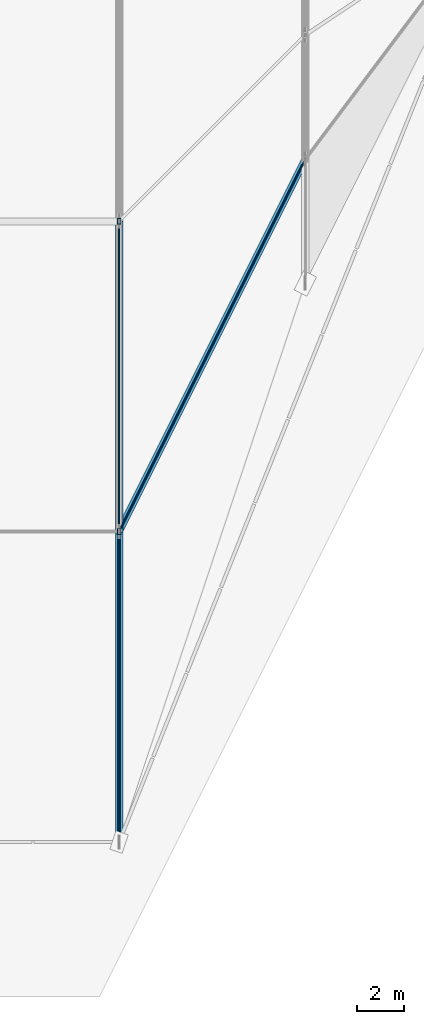
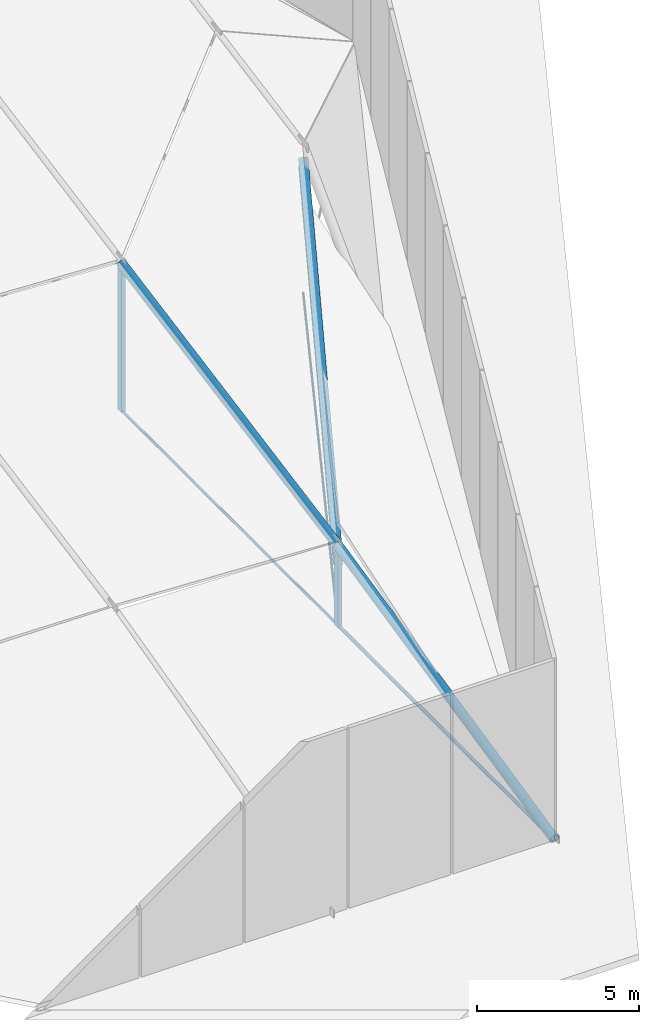
# One storey, part 15 of 30: 8 members.
"""IFC4 building model written with IfcOpenShell, lengths in metres."""

from ifc_helpers import new_model, si_unit, direction, frame, origin, origin_2d, place, context, subcontext, project, spatial, hollow_rectangle, circle, hollow_circle, i_section, extrude, material, material_profile, profile_set, type_object, element, save


model = new_model("IFC4")

# Units and contexts
model_context = context("Model", 3, precision=1e-05, world=origin(), true_north=direction((0.0, 1.0)))
body_context = subcontext(model_context, "Body", "Model", "MODEL_VIEW")
ifc_project = project(units=[si_unit("LENGTHUNIT", "METRE"), si_unit("AREAUNIT", "SQUARE_METRE"), si_unit("VOLUMEUNIT", "CUBIC_METRE"), si_unit("PLANEANGLEUNIT", "RADIAN"), si_unit("MASSUNIT", "GRAM", prefix="KILO")], contexts=[model_context])

# Site, building, storey
site_placement = place(None, origin())
site = spatial("IfcSite", under=ifc_project, at=site_placement, CompositionType="ELEMENT")
building_placement = place(site_placement, origin())
building = spatial("IfcBuilding", under=site, at=building_placement, Name="Tazarka Park Arena", CompositionType="ELEMENT")
storey_placement = place(building_placement, frame((0.0, 0.0, 29.39990234375)))
storey = spatial("IfcBuildingStorey", under=building, at=storey_placement, Name="Roof", CompositionType="ELEMENT", Elevation=29.39990234375)

# Members
ifc_material_1 = material(Name="Locked-coil steel cable S1570", Category="steel")
ifc_material_profile_1 = material_profile(ifc_material_1, circle(Radius=0.0400390625, at=origin_2d()), Name="Locked-coil steel cable S1570")
ifc_profile_set_1 = profile_set([ifc_material_profile_1], Name="Locked-coil steel cable S1570")
member_type_1 = type_object("IfcMemberType", Name="MEM-CBL-01", PredefinedType="USERDEFINED", material=ifc_profile_set_1)
member_1_placement = place(storey_placement, frame((112.0, 37.333251953125, -0.0498046875), z_axis=(0.4472135955, 0.894427191, 0.0), x_axis=(-0.894427191, 0.4472135955, 0.0)))
element("IfcMember", 1, at=member_1_placement, inside=storey, type_object=member_type_1, Name="CABLE TRANSVERSE 7-1", ObjectType="CABLE", PredefinedType="USERDEFINED", context=body_context, shape_type="SweptSolid", body=[
    extrude(circle(Radius=0.0400390625, at=origin_2d()), origin(), (0.0, 0.0, 1.0), 17.888427734375),
])
ifc_material_2 = material(Name="Locked-coil steel cable S1570", Category="steel")
ifc_material_profile_2 = material_profile(ifc_material_2, circle(Radius=0.06005859375, at=origin_2d()), Name="Locked-coil steel cable S1570")
ifc_profile_set_2 = profile_set([ifc_material_profile_2], Name="Locked-coil steel cable S1570")
member_type_2 = type_object("IfcMemberType", Name="MEM-CBL-03", PredefinedType="USERDEFINED", material=ifc_profile_set_2)
member_2_placement = place(storey_placement, frame((112.0, 24.0, -0.0498046875), z_axis=(0.0, 1.0, 0.0), x_axis=(-1.0, 0.0, 0.0)))
element("IfcMember", 2, at=member_2_placement, inside=storey, type_object=member_type_2, Name="CABLE CBL-03-7-1", ObjectType="CABLE", PredefinedType="USERDEFINED", context=body_context, shape_type="SweptSolid", body=[
    extrude(circle(Radius=0.06005859375, at=origin_2d()), origin(), (0.0, 0.0, 1.0), 13.333251953125),
])
ifc_material_3 = material(Name="Locked-coil steel cable S1570", Category="steel")
ifc_material_profile_3 = material_profile(ifc_material_3, circle(Radius=0.044921875, at=origin_2d()), Name="Locked-coil steel cable S1570")
ifc_profile_set_3 = profile_set([ifc_material_profile_3], Name="Locked-coil steel cable S1570")
member_type_3 = type_object("IfcMemberType", Name="MEM-CBL-04", PredefinedType="USERDEFINED", material=ifc_profile_set_3)
member_3_placement = place(storey_placement, frame((112.0, 37.333251953125, -0.0498046875), z_axis=(0.0, 1.0, 0.0), x_axis=(-1.0, 0.0, 0.0)))
element("IfcMember", 3, at=member_3_placement, inside=storey, type_object=member_type_3, Name="CABLE CBL-04-7-2", ObjectType="CABLE", PredefinedType="USERDEFINED", context=body_context, shape_type="SweptSolid", body=[
    extrude(circle(Radius=0.044921875, at=origin_2d()), origin(), (0.0, 0.0, 1.0), 13.33349609375),
])
ifc_material_4 = material(Name="Steel S460", Category="steel")
ifc_material_profile_4 = material_profile(ifc_material_4, hollow_circle(Radius=0.161865234375, WallThickness=0.01611328125, at=origin_2d()), Name="Steel S460")
ifc_profile_set_4 = profile_set([ifc_material_profile_4], Name="Steel S460")
member_type_4 = type_object("IfcMemberType", Name="MEM-CH-03", PredefinedType="CHORD", material=ifc_profile_set_4)
member_4_placement = place(storey_placement, frame((112.0, 24.0, 0.0), z_axis=(0.0, 0.976380595704, 0.216057706024), x_axis=(-1.0, 0.0, 0.0)))
element("IfcMember", 4, at=member_4_placement, inside=storey, type_object=member_type_4, Name="CABLE ARCH CHORD 7-1", PredefinedType="CHORD", context=body_context, shape_type="SweptSolid", body=[
    extrude(hollow_circle(Radius=0.161865234375, WallThickness=0.01611328125, at=origin_2d()), origin(), (0.0, 0.0, 1.0), 13.65576171875),
])
member_5_placement = place(storey_placement, frame((112.0, 37.333251953125, 2.950439453125), z_axis=(0.0, 0.982679772131, 0.185311806005), x_axis=(-1.0, 0.0, 0.0)))
element("IfcMember", 5, at=member_5_placement, inside=storey, type_object=member_type_4, Name="CABLE ARCH CHORD 7-2", PredefinedType="CHORD", context=body_context, shape_type="SweptSolid", body=[
    extrude(hollow_circle(Radius=0.161865234375, WallThickness=0.01611328125, at=origin_2d()), origin(), (0.0, 0.0, 1.0), 13.568603515625),
])
ifc_material_5 = material(Name="Steel S355", Category="steel")
ifc_material_profile_5 = material_profile(ifc_material_5, i_section(OverallWidth=0.300048828125, OverallDepth=0.35009765625, WebThickness=0.010009765625, FlangeThickness=0.017578125, FilletRadius=0.027099609375, at=origin_2d()), Name="Steel S355")
ifc_profile_set_5 = profile_set([ifc_material_profile_5], Name="Steel S355")
member_type_5 = type_object("IfcMemberType", Name="MEM-PR-04", PredefinedType="PURLIN", material=ifc_profile_set_5)
member_6_placement = place(storey_placement, frame((112.0, 37.333251953125, 2.390380859375), z_axis=(0.442924955495, 0.88584991099, 0.13815722565), x_axis=(-0.894427191, 0.4472135955, 0.0)))
element("IfcMember", 6, at=member_6_placement, inside=storey, type_object=member_type_5, Name="RPM-06-01", PredefinedType="PURLIN", context=body_context, shape_type="SweptSolid", body=[
    extrude(i_section(OverallWidth=0.300048828125, OverallDepth=0.35009765625, WebThickness=0.010009765625, FlangeThickness=0.017578125, FilletRadius=0.027099609375, at=origin_2d()), origin(), (0.0, 0.0, 1.0), 18.061767578125),
])
ifc_material_6 = material(Name="Steel S355", Category="steel")
ifc_material_profile_6 = material_profile(ifc_material_6, hollow_rectangle(XDim=0.14990234375, YDim=0.25, WallThickness=0.010009765625, at=origin_2d()), Name="Steel S355")
ifc_profile_set_6 = profile_set([ifc_material_profile_6], Name="Steel S355")
member_type_6 = type_object("IfcMemberType", Name="MEM-PT-02", PredefinedType="POST", material=ifc_profile_set_6)
member_7_placement = place(storey_placement, frame((112.0, 37.333251953125, -0.0498046875), z_axis=(0.0, 0.0, 1.0), x_axis=(1.0, 0.0, 0.0)))
element("IfcMember", 7, at=member_7_placement, inside=storey, type_object=member_type_6, Name="CBH-06-1", PredefinedType="POST", context=body_context, shape_type="SweptSolid", body=[
    extrude(hollow_rectangle(XDim=0.14990234375, YDim=0.25, WallThickness=0.010009765625, at=origin_2d()), origin(), (0.0, 0.0, 1.0), 3.000244140625),
])
member_8_placement = place(storey_placement, frame((112.0, 50.666748046875, -0.0498046875), z_axis=(0.0, 0.0, 1.0), x_axis=(1.0, 0.0, 0.0)))
element("IfcMember", 8, at=member_8_placement, inside=storey, type_object=member_type_6, Name="CBH-06-2", PredefinedType="POST", context=body_context, shape_type="SweptSolid", body=[
    extrude(hollow_rectangle(XDim=0.14990234375, YDim=0.25, WallThickness=0.010009765625, at=origin_2d()), origin(), (0.0, 0.0, 1.0), 5.5146484375),
])

save(model, "model.ifc")
